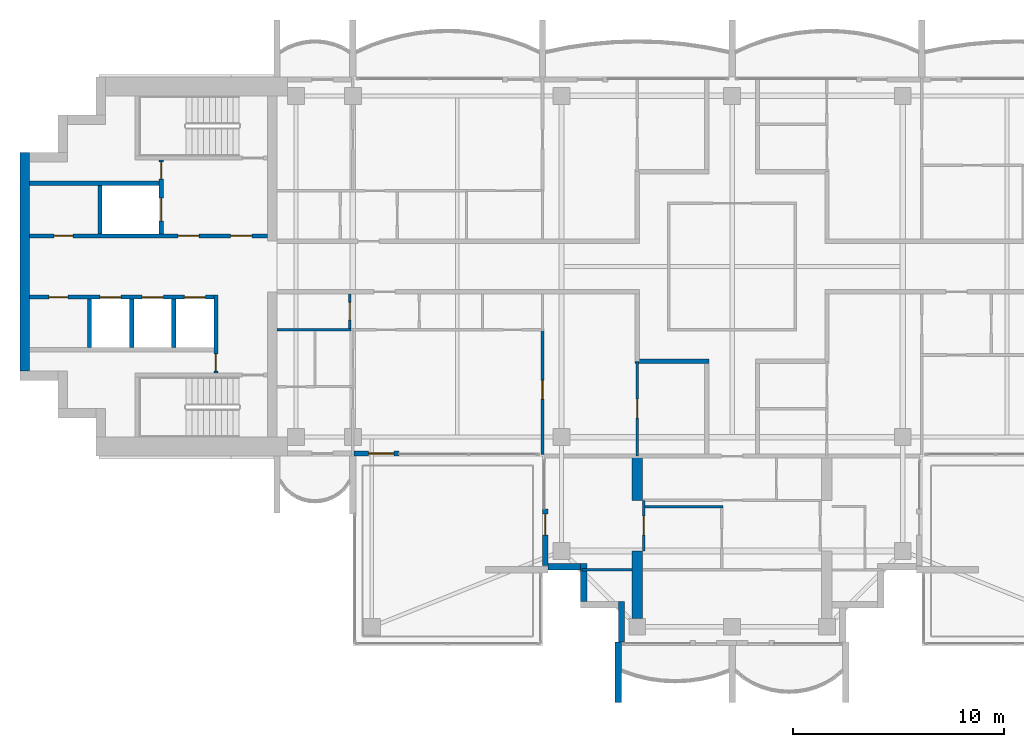
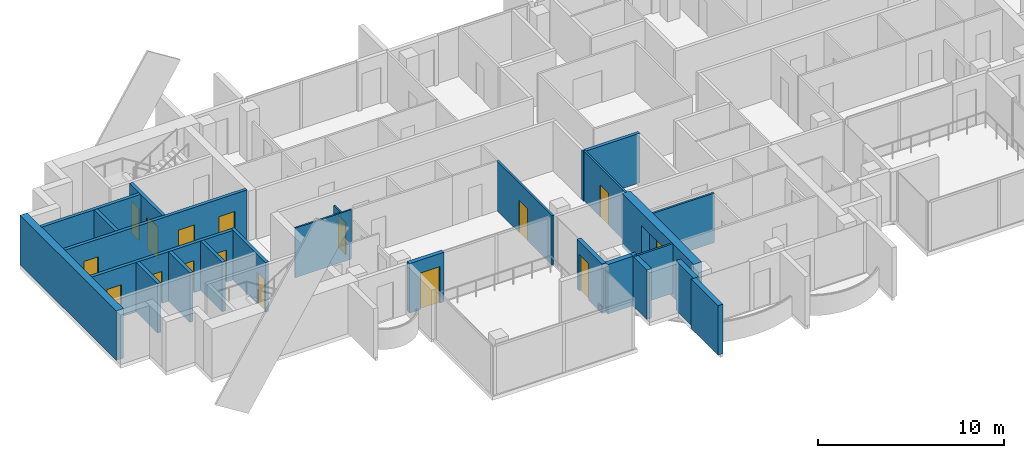
# One storey, part 7 of 16: 25 walls, 16 doors, 16 openings.
"""IFC4 building model written with IfcOpenShell, lengths in metres."""

from ifc_helpers import new_model, si_unit, direction, frame, frame_2d, origin, place, context, subcontext, project, spatial, polyline, rectangle, outline, extrude, material, layer, layer_set, material_profile, profile_set, type_object, element, fill, save


model = new_model("IFC4")

# Units and contexts
model_context = context("Model", 3, precision=1e-05, world=origin(), true_north=direction((0.0, 1.0)))
body_context = subcontext(model_context, "Body", "Model", "MODEL_VIEW")
ifc_project = project(units=[si_unit("LENGTHUNIT", "METRE"), si_unit("AREAUNIT", "SQUARE_METRE"), si_unit("VOLUMEUNIT", "CUBIC_METRE"), si_unit("PLANEANGLEUNIT", "RADIAN"), si_unit("MASSUNIT", "GRAM", prefix="KILO")], contexts=[model_context])

# Site, building, storey
site_placement = place(None, origin())
site = spatial("IfcSite", under=ifc_project, at=site_placement, CompositionType="ELEMENT")
building_placement = place(site_placement, origin())
building = spatial("IfcBuilding", under=site, at=building_placement, Name="Perihelion Cross Residences", CompositionType="ELEMENT")
storey_placement = place(building_placement, frame((0.0, 0.0, 271.0)))
storey = spatial("IfcBuildingStorey", under=building, at=storey_placement, Name="L69", CompositionType="ELEMENT", Elevation=271.0)

# Wall
ifc_material_1 = material(Name="Plasterboard partition")
ifc_layer_1 = layer(ifc_material_1, 0.199951171875)
ifc_layer_set_1 = layer_set([ifc_layer_1], Name="Apartment separation wall 200")
wall_type_1 = type_object("IfcWallType", Name="Apartment separation wall 200", PredefinedType="PARTITIONING", material=ifc_layer_set_1)
wall_1_placement = place(storey_placement, frame((-1.10009765625, -4.5, 0.0), z_axis=(0.0, 0.0, 1.0), x_axis=(-1.0, 0.0, 0.0)))
element("IfcWall", 1, at=wall_1_placement, inside=storey, type_object=wall_type_1, Name="Partition L69 W020", PredefinedType="PARTITIONING", context=body_context, shape_type="SweptSolid", body=[
    extrude(rectangle(XDim=3.5, YDim=0.199951171875, at=frame_2d((1.75, 0.0))), origin(), (0.0, 0.0, 1.0), 3.25),
])

# Wall, opening, door
ifc_material_2 = material(Name="Concrete C30/37, bronze-clad", Category="concrete")
ifc_layer_2 = layer(ifc_material_2, 0.25)
ifc_layer_set_2 = layer_set([ifc_layer_2], Name="Bronze-clad pier wall 250")
wall_type_2 = type_object("IfcWallType", Name="Bronze-clad pier wall 250", PredefinedType="SOLIDWALL", material=ifc_layer_set_2)
wall_2_placement = place(storey_placement, frame((-17.93994140625, -8.875, 0.0), z_axis=(0.0, 0.0, 1.0), x_axis=(1.0, 0.0, 0.0)))
wall_2 = element("IfcWall", 2, at=wall_2_placement, inside=storey, type_object=wall_type_2, Name="Wall FW1 L69 west side south bay 2 pier", PredefinedType="SOLIDWALL", context=body_context, shape_type="SweptSolid", body=[
    extrude(rectangle(XDim=2.139892578125, YDim=0.25, at=frame_2d((1.06982421875, 0.0))), origin(), (0.0, 0.0, 1.0), 3.25),
])
opening_1_placement = place(wall_2_placement, frame((0.68994140625, 0.0, 0.0)))
opening_1 = element("IfcOpeningElement", 3, at=opening_1_placement, cuts=wall_2, Name="Opening L69.E08", PredefinedType="OPENING", context=body_context, shape_type="SweptSolid", body=[
    extrude(rectangle(XDim=1.199951171875, YDim=2.39990234375, at=frame_2d((0.60009765625, 1.199951171875))), frame((0.0, 0.135009765625, 0.0), z_axis=(0.0, -1.0, 0.0), x_axis=(1.0, 0.0, 0.0)), (0.0, 0.0, 1.0), 0.27001953125),
])
ifc_material_3 = material(Name="Bronze anodised aluminium, glazed", Category="aluminium")
door_type_1 = type_object("IfcDoorType", Name="Balcony door 1200 x 2400", OperationType="NOTDEFINED", PredefinedType="DOOR", material=ifc_material_3)
door_1_placement = place(opening_1_placement, origin())
door_1 = element("IfcDoor", 4, at=door_1_placement, inside=storey, type_object=door_type_1, Name="Door L69.E08 west side south bay 2", OperationType="SINGLE_SWING_RIGHT", OverallHeight=2.39990234375, OverallWidth=1.199951171875, PredefinedType="DOOR", context=body_context, shape_type="SweptSolid", body=[
    extrude(rectangle(XDim=1.199951171875, YDim=2.39990234375, at=frame_2d((0.60009765625, 1.199951171875))), frame((0.0, 0.02490234375, 0.0), z_axis=(0.0, -1.0, 0.0), x_axis=(1.0, 0.0, 0.0)), (0.0, 0.0, 1.0), 0.050048828125),
])
fill(opening_1, door_1)

wall_3_placement = place(storey_placement, frame((-8.875, -11.5, 0.0), z_axis=(0.0, 0.0, 1.0), x_axis=(0.0, -1.0, 0.0)))
wall_3 = element("IfcWall", 5, at=wall_3_placement, inside=storey, type_object=wall_type_2, Name="Wall FW1 L69 south side west bay 1 pier", PredefinedType="SOLIDWALL", context=body_context, shape_type="SweptSolid", body=[
    extrude(rectangle(XDim=2.699951171875, YDim=0.25, at=frame_2d((1.35009765625, 0.0))), origin(), (0.0, 0.0, 1.0), 3.25),
])
opening_2_placement = place(wall_3_placement, frame((0.25, 0.0, 0.0)))
opening_2 = element("IfcOpeningElement", 6, at=opening_2_placement, cuts=wall_3, Name="Opening L69.E09", PredefinedType="OPENING", context=body_context, shape_type="SweptSolid", body=[
    extrude(rectangle(XDim=1.0, YDim=2.39990234375, at=frame_2d((0.5, 1.199951171875))), frame((0.0, 0.135009765625, 0.0), z_axis=(0.0, -1.0, 0.0), x_axis=(1.0, 0.0, 0.0)), (0.0, 0.0, 1.0), 0.27001953125),
])
ifc_material_4 = material(Name="Bronze anodised aluminium, glazed", Category="aluminium")
door_type_2 = type_object("IfcDoorType", Name="Balcony door 1000 x 2400", OperationType="NOTDEFINED", PredefinedType="DOOR", material=ifc_material_4)
door_2_placement = place(opening_2_placement, origin())
door_2 = element("IfcDoor", 7, at=door_2_placement, inside=storey, type_object=door_type_2, Name="Door L69.E09 south side west bay 1", OperationType="SINGLE_SWING_LEFT", OverallHeight=2.39990234375, OverallWidth=1.0, PredefinedType="DOOR", context=body_context, shape_type="SweptSolid", body=[
    extrude(rectangle(XDim=1.0, YDim=2.39990234375, at=frame_2d((0.5, 1.199951171875))), frame((0.0, 0.02490234375, 0.0), z_axis=(0.0, -1.0, 0.0), x_axis=(1.0, 0.0, 0.0)), (0.0, 0.0, 1.0), 0.050048828125),
])
fill(opening_2, door_2)

# Walls
ifc_material_5 = material(Name="Concrete C30/37, bronze-clad", Category="concrete")
ifc_layer_3 = layer(ifc_material_5, 0.300048828125)
ifc_layer_set_3 = layer_set([ifc_layer_3], Name="Bronze-clad serration wall 300")
wall_type_3 = type_object("IfcWallType", Name="Bronze-clad serration wall 300", PredefinedType="SOLIDWALL", material=ifc_layer_set_3)
wall_4_placement = place(storey_placement, frame((-8.75, -14.25, 0.0), z_axis=(0.0, 0.0, 1.0), x_axis=(1.0, 0.0, 0.0)))
element("IfcWall", 8, at=wall_4_placement, inside=storey, type_object=wall_type_3, Name="Wall SR1 L69 south corner south-west 1", PredefinedType="SOLIDWALL", context=body_context, shape_type="SweptSolid", body=[
    extrude(rectangle(XDim=1.550048828125, YDim=0.300048828125, at=frame_2d((0.77490234375, 0.0))), origin(), (0.0, 0.0, 1.0), 3.25),
])
wall_5_placement = place(storey_placement, frame((-7.050048828125, -14.10009765625, 0.0), z_axis=(0.0, 0.0, 1.0), x_axis=(0.0, -1.0, 0.0)))
element("IfcWall", 9, at=wall_5_placement, inside=storey, type_object=wall_type_3, Name="Wall SR1 L69 south corner south-west 2", PredefinedType="SOLIDWALL", context=body_context, shape_type="SweptSolid", body=[
    extrude(rectangle(XDim=1.7998046875, YDim=0.300048828125, at=frame_2d((0.89990234375, 0.0))), origin(), (0.0, 0.0, 1.0), 3.25),
])
wall_6_placement = place(storey_placement, frame((-5.25, -15.89990234375, 0.0), z_axis=(0.0, 0.0, 1.0), x_axis=(0.0, -1.0, 0.0)))
element("IfcWall", 10, at=wall_6_placement, inside=storey, type_object=wall_type_3, Name="Wall SR1 L69 south corner south-west 4", PredefinedType="SOLIDWALL", context=body_context, shape_type="SweptSolid", body=[
    extrude(rectangle(XDim=1.920166015625, YDim=0.300048828125, at=frame_2d((0.9599609375, 0.0))), origin(), (0.0, 0.0, 1.0), 3.25),
])
ifc_material_6 = material(Name="Concrete C60/75", Category="concrete")
ifc_layer_4 = layer(ifc_material_6, 0.449951171875)
ifc_layer_set_4 = layer_set([ifc_layer_4], Name="Core wall, outer 450")
wall_type_4 = type_object("IfcWallType", Name="Core wall, outer 450", PredefinedType="SHEAR", material=ifc_layer_set_4)
wall_7_placement = place(storey_placement, frame((-33.574951171875, -4.949951171875, 0.0), z_axis=(0.0, 0.0, 1.0), x_axis=(0.0, 1.0, 0.0)))
element("IfcWall", 11, at=wall_7_placement, inside=storey, type_object=wall_type_4, Name="West core core wall, outer", PredefinedType="SHEAR", context=body_context, shape_type="SweptSolid", body=[
    extrude(rectangle(XDim=10.349853515625, YDim=0.449951171875, at=frame_2d((5.1748046875, 0.0))), origin(), (0.0, 0.0, 1.0), 3.25),
])

# Wall, opening, door
ifc_material_7 = material(Name="Plasterboard partition")
ifc_layer_5 = layer(ifc_material_7, 0.1201171875)
ifc_layer_set_5 = layer_set([ifc_layer_5], Name="Infill panel 120")
wall_type_5 = type_object("IfcWallType", Name="Infill panel 120", PredefinedType="PARTITIONING", material=ifc_layer_set_5)
wall_8_placement = place(storey_placement, frame((-4.18994140625, -11.10009765625, 0.0), z_axis=(0.0, 0.0, 1.0), x_axis=(0.0, -1.0, 0.0)))
wall_8 = element("IfcWall", 12, at=wall_8_placement, inside=storey, type_object=wall_type_5, Name="Partition L69 WI02", PredefinedType="PARTITIONING", context=body_context, shape_type="SweptSolid", body=[
    extrude(rectangle(XDim=2.39990234375, YDim=0.1201171875, at=frame_2d((1.199951171875, 0.0))), origin(), (0.0, 0.0, 1.0), 2.39990234375),
])
opening_3_placement = place(wall_8_placement, frame((0.75, 0.0, 0.0)))
opening_3 = element("IfcOpeningElement", 13, at=opening_3_placement, cuts=wall_8, Name="Opening L69.A45", PredefinedType="OPENING", context=body_context, shape_type="SweptSolid", body=[
    extrude(rectangle(XDim=0.89990234375, YDim=2.10009765625, at=frame_2d((0.449951171875, 1.050048828125))), frame((0.0, 0.070068359375, 0.0), z_axis=(0.0, -1.0, 0.0), x_axis=(1.0, 0.0, 0.0)), (0.0, 0.0, 1.0), 0.14013671875),
])
ifc_material_8 = material(Name="Timber door leaf", Category="wood")
door_type_3 = type_object("IfcDoorType", Name="Interior room door 900 x 2100", OperationType="SINGLE_SWING_LEFT", PredefinedType="DOOR", material=ifc_material_8)
door_3_placement = place(opening_3_placement, origin())
door_3 = element("IfcDoor", 14, at=door_3_placement, inside=storey, type_object=door_type_3, Name="Door L69.A45", OperationType="SINGLE_SWING_LEFT", OverallHeight=2.10009765625, OverallWidth=0.89990234375, PredefinedType="DOOR", context=body_context, shape_type="SweptSolid", body=[
    extrude(rectangle(XDim=0.89990234375, YDim=2.10009765625, at=frame_2d((0.449951171875, 1.050048828125))), frame((0.0, 0.02490234375, 0.0), z_axis=(0.0, -1.0, 0.0), x_axis=(1.0, 0.0, 0.0)), (0.0, 0.0, 1.0), 0.050048828125),
])
fill(opening_3, door_3)

ifc_material_9 = material(Name="Concrete C50/60", Category="concrete")
ifc_layer_6 = layer(ifc_material_9, 0.199951171875)
ifc_layer_set_6 = layer_set([ifc_layer_6], Name="Lobby wall 200")
wall_type_6 = type_object("IfcWallType", Name="Lobby wall 200", PredefinedType="SOLIDWALL", material=ifc_layer_set_6)
wall_9_placement = place(storey_placement, frame((-24.5, -5.050048828125, 0.0), z_axis=(0.0, 0.0, 1.0), x_axis=(0.0, 1.0, 0.0)))
wall_9 = element("IfcWall", 15, at=wall_9_placement, inside=storey, type_object=wall_type_6, Name="West core lobby wall", PredefinedType="SOLIDWALL", context=body_context, shape_type="SweptSolid", body=[
    extrude(rectangle(XDim=3.699951171875, YDim=0.199951171875, at=frame_2d((1.85009765625, 0.0))), origin(), (0.0, 0.0, 1.0), 3.25),
])
opening_4_placement = place(wall_9_placement, frame((0.10009765625, 0.0, 0.0)))
opening_4 = element("IfcOpeningElement", 16, at=opening_4_placement, cuts=wall_9, Name="Opening L69.C20", PredefinedType="OPENING", context=body_context, shape_type="SweptSolid", body=[
    extrude(rectangle(XDim=0.800048828125, YDim=2.10009765625, at=frame_2d((0.39990234375, 1.050048828125))), frame((0.0, 0.10986328125, 0.0), z_axis=(0.0, -1.0, 0.0), x_axis=(1.0, 0.0, 0.0)), (0.0, 0.0, 1.0), 0.219970703125),
])
ifc_material_10 = material(Name="Steel, powder coated", Category="steel")
door_type_4 = type_object("IfcDoorType", Name="Riser door 800", OperationType="SINGLE_SWING_LEFT", PredefinedType="DOOR", material=ifc_material_10)
door_4_placement = place(opening_4_placement, origin())
door_4 = element("IfcDoor", 17, at=door_4_placement, inside=storey, type_object=door_type_4, Name="West core riser door", OperationType="SINGLE_SWING_LEFT", OverallHeight=2.10009765625, OverallWidth=0.800048828125, PredefinedType="DOOR", context=body_context, shape_type="SweptSolid", body=[
    extrude(rectangle(XDim=0.800048828125, YDim=2.10009765625, at=frame_2d((0.39990234375, 1.050048828125))), frame((0.0, 0.02490234375, 0.0), z_axis=(0.0, -1.0, 0.0), x_axis=(1.0, 0.0, 0.0)), (0.0, 0.0, 1.0), 0.050048828125),
])
fill(opening_4, door_4)

ifc_material_11 = material(Name="Plasterboard partition")
ifc_layer_7 = layer(ifc_material_11, 0.1201171875)
ifc_layer_set_7 = layer_set([ifc_layer_7], Name="Partition wall 120")
wall_type_7 = type_object("IfcWallType", Name="Partition wall 120", PredefinedType="PARTITIONING", material=ifc_layer_set_7)
wall_10_placement = place(storey_placement, frame((-9.0, -3.0, 0.0), z_axis=(0.0, 0.0, 1.0), x_axis=(0.0, -1.0, 0.0)))
wall_10 = element("IfcWall", 18, at=wall_10_placement, inside=storey, type_object=wall_type_7, Name="Partition L69 W062", PredefinedType="PARTITIONING", context=body_context, shape_type="SweptSolid", body=[
    extrude(rectangle(XDim=5.919921875, YDim=0.1201171875, at=frame_2d((2.9599609375, 0.0))), origin(), (0.0, 0.0, 1.0), 3.25),
])
opening_5_placement = place(wall_10_placement, frame((2.39990234375, 0.0, 0.0)))
opening_5 = element("IfcOpeningElement", 19, at=opening_5_placement, cuts=wall_10, Name="Opening L69.A32", PredefinedType="OPENING", context=body_context, shape_type="SweptSolid", body=[
    extrude(rectangle(XDim=0.89990234375, YDim=2.10009765625, at=frame_2d((0.449951171875, 1.050048828125))), frame((0.0, 0.070068359375, 0.0), z_axis=(0.0, -1.0, 0.0), x_axis=(1.0, 0.0, 0.0)), (0.0, 0.0, 1.0), 0.14013671875),
])
door_5_placement = place(opening_5_placement, origin())
door_5 = element("IfcDoor", 20, at=door_5_placement, inside=storey, type_object=door_type_3, Name="Door L69.A32", OperationType="SINGLE_SWING_RIGHT", OverallHeight=2.10009765625, OverallWidth=0.89990234375, PredefinedType="DOOR", context=body_context, shape_type="SweptSolid", body=[
    extrude(rectangle(XDim=0.89990234375, YDim=2.10009765625, at=frame_2d((0.449951171875, 1.050048828125))), frame((0.0, 0.02490234375, 0.0), z_axis=(0.0, -1.0, 0.0), x_axis=(1.0, 0.0, 0.0)), (0.0, 0.0, 1.0), 0.050048828125),
])
fill(opening_5, door_5)

wall_11_placement = place(storey_placement, frame((-4.5, -4.5, 0.0), z_axis=(0.0, 0.0, 1.0), x_axis=(0.0, -1.0, 0.0)))
wall_11 = element("IfcWall", 21, at=wall_11_placement, inside=storey, type_object=wall_type_7, Name="Partition L69 W066", PredefinedType="PARTITIONING", context=body_context, shape_type="SweptSolid", body=[
    extrude(rectangle(XDim=4.5, YDim=0.1201171875, at=frame_2d((2.25, 0.0))), origin(), (0.0, 0.0, 1.0), 3.25),
])
opening_6_placement = place(wall_11_placement, frame((1.800048828125, 0.0, 0.0)))
opening_6 = element("IfcOpeningElement", 22, at=opening_6_placement, cuts=wall_11, Name="Opening L69.A28", PredefinedType="OPENING", context=body_context, shape_type="SweptSolid", body=[
    extrude(rectangle(XDim=0.89990234375, YDim=2.10009765625, at=frame_2d((0.449951171875, 1.050048828125))), frame((0.0, 0.070068359375, 0.0), z_axis=(0.0, -1.0, 0.0), x_axis=(1.0, 0.0, 0.0)), (0.0, 0.0, 1.0), 0.14013671875),
])
door_6_placement = place(opening_6_placement, origin())
door_6 = element("IfcDoor", 23, at=door_6_placement, inside=storey, type_object=door_type_3, Name="Door L69.A28", OperationType="SINGLE_SWING_RIGHT", OverallHeight=2.10009765625, OverallWidth=0.89990234375, PredefinedType="DOOR", context=body_context, shape_type="SweptSolid", body=[
    extrude(rectangle(XDim=0.89990234375, YDim=2.10009765625, at=frame_2d((0.449951171875, 1.050048828125))), frame((0.0, 0.02490234375, 0.0), z_axis=(0.0, -1.0, 0.0), x_axis=(1.0, 0.0, 0.0)), (0.0, 0.0, 1.0), 0.050048828125),
])
fill(opening_6, door_6)

# Walls
wall_12_placement = place(storey_placement, frame((-0.43994140625, -11.39990234375, 0.0), z_axis=(0.0, 0.0, 1.0), x_axis=(-1.0, 0.0, 0.0)))
element("IfcWall", 24, at=wall_12_placement, inside=storey, type_object=wall_type_7, Name="Partition L69 W071", PredefinedType="PARTITIONING", context=body_context, shape_type="SweptSolid", body=[
    extrude(rectangle(XDim=3.81005859375, YDim=0.1201171875, at=frame_2d((1.905029296875, 0.0))), origin(), (0.0, 0.0, 1.0), 3.25),
])
wall_13_placement = place(storey_placement, frame((-4.75, -14.39990234375, 0.0), z_axis=(0.0, 0.0, 1.0), x_axis=(-1.0, 0.0, 0.0)))
element("IfcWall", 25, at=wall_13_placement, inside=storey, type_object=wall_type_7, Name="Partition L69 W077", PredefinedType="PARTITIONING", context=body_context, shape_type="SweptSolid", body=[
    extrude(rectangle(XDim=2.3701171875, YDim=0.1201171875, at=frame_2d((1.18505859375, 0.0))), origin(), (0.0, 0.0, 1.0), 3.25),
])
ifc_material_12 = material(Name="Precast concrete C50/60", Category="concrete")
ifc_layer_8 = layer(ifc_material_12, 0.300048828125)
ifc_layer_set_8 = layer_set([ifc_layer_8], Name="Precast concrete C50/60 blade wall 300")
wall_type_8 = type_object("IfcWallType", Name="Precast concrete C50/60 blade wall 300", PredefinedType="SOLIDWALL", material=ifc_layer_set_8)
wall_14_placement = place(storey_placement, frame((-5.39990234375, -17.820068359375, 0.0), z_axis=(0.0, 0.0, 1.0), x_axis=(0.0, -1.0, 0.0)))
element("IfcWall", 26, at=wall_14_placement, inside=storey, type_object=wall_type_8, Name="Wall BL1 L69 no. 5", PredefinedType="SOLIDWALL", context=body_context, shape_type="SweptSolid", body=[
    extrude(rectangle(XDim=2.8798828125, YDim=0.300048828125, at=frame_2d((1.43994140625, 0.0))), origin(), (0.0, 0.0, 1.0), 3.25),
])

# Wall, openings, doors
ifc_material_13 = material(Name="Concrete C50/60", Category="concrete")
ifc_layer_9 = layer(ifc_material_13, 0.199951171875)
ifc_layer_set_9 = layer_set([ifc_layer_9], Name="Shaft wall 200")
wall_type_9 = type_object("IfcWallType", Name="Shaft wall 200", PredefinedType="SOLIDWALL", material=ifc_layer_set_9)
wall_15_placement = place(storey_placement, frame((-33.35009765625, 1.449951171875, 0.0), z_axis=(0.0, 0.0, 1.0), x_axis=(1.0, 0.0, 0.0)))
wall_15 = element("IfcWall", 27, at=wall_15_placement, inside=storey, type_object=wall_type_9, Name="West core shaft wall", PredefinedType="SOLIDWALL", context=body_context, shape_type="SweptSolid", body=[
    extrude(rectangle(XDim=11.300048828125, YDim=0.199951171875, at=frame_2d((5.64990234375, 0.0))), origin(), (0.0, 0.0, 1.0), 3.25),
])
opening_7_placement = place(wall_15_placement, frame((9.550048828125, 0.0, 0.0)))
opening_7 = element("IfcOpeningElement", 28, at=opening_7_placement, cuts=wall_15, Name="Opening L69.C19", PredefinedType="OPENING", context=body_context, shape_type="SweptSolid", body=[
    extrude(rectangle(XDim=1.0, YDim=2.10009765625, at=frame_2d((0.5, 1.050048828125))), frame((0.0, 0.10986328125, 0.0), z_axis=(0.0, -1.0, 0.0), x_axis=(1.0, 0.0, 0.0)), (0.0, 0.0, 1.0), 0.219970703125),
])
opening_8_placement = place(wall_15_placement, frame((7.050048828125, 0.0, 0.0)))
opening_8 = element("IfcOpeningElement", 29, at=opening_8_placement, cuts=wall_15, Name="Opening L69.C21", PredefinedType="OPENING", context=body_context, shape_type="SweptSolid", body=[
    extrude(rectangle(XDim=1.0, YDim=2.10009765625, at=frame_2d((0.5, 1.050048828125))), frame((0.0, 0.10986328125, 0.0), z_axis=(0.0, -1.0, 0.0), x_axis=(1.0, 0.0, 0.0)), (0.0, 0.0, 1.0), 0.219970703125),
])
opening_9_placement = place(wall_15_placement, frame((1.175048828125, 0.0, 0.0)))
opening_9 = element("IfcOpeningElement", 30, at=opening_9_placement, cuts=wall_15, Name="Opening L69.C23", PredefinedType="OPENING", context=body_context, shape_type="SweptSolid", body=[
    extrude(rectangle(XDim=0.89990234375, YDim=2.10009765625, at=frame_2d((0.449951171875, 1.050048828125))), frame((0.0, 0.10986328125, 0.0), z_axis=(0.0, -1.0, 0.0), x_axis=(1.0, 0.0, 0.0)), (0.0, 0.0, 1.0), 0.219970703125),
])
ifc_material_14 = material(Name="Steel, powder coated", Category="steel")
door_type_5 = type_object("IfcDoorType", Name="Lobby door 1000", OperationType="SINGLE_SWING_LEFT", PredefinedType="DOOR", material=ifc_material_14)
door_7_placement = place(opening_7_placement, origin())
door_7 = element("IfcDoor", 31, at=door_7_placement, inside=storey, type_object=door_type_5, Name="West core firefighting lobby door", OperationType="SINGLE_SWING_LEFT", OverallHeight=2.10009765625, OverallWidth=1.0, PredefinedType="DOOR", context=body_context, shape_type="SweptSolid", body=[
    extrude(rectangle(XDim=1.0, YDim=2.10009765625, at=frame_2d((0.5, 1.050048828125))), frame((0.0, 0.02490234375, 0.0), z_axis=(0.0, -1.0, 0.0), x_axis=(1.0, 0.0, 0.0)), (0.0, 0.0, 1.0), 0.050048828125),
])
fill(opening_7, door_7)
door_8_placement = place(opening_8_placement, origin())
door_8 = element("IfcDoor", 32, at=door_8_placement, inside=storey, type_object=door_type_5, Name="West core firefighting lobby door", OperationType="SINGLE_SWING_LEFT", OverallHeight=2.10009765625, OverallWidth=1.0, PredefinedType="DOOR", context=body_context, shape_type="SweptSolid", body=[
    extrude(rectangle(XDim=1.0, YDim=2.10009765625, at=frame_2d((0.5, 1.050048828125))), frame((0.0, 0.02490234375, 0.0), z_axis=(0.0, -1.0, 0.0), x_axis=(1.0, 0.0, 0.0)), (0.0, 0.0, 1.0), 0.050048828125),
])
fill(opening_8, door_8)
ifc_material_15 = material(Name="Steel, powder coated", Category="steel")
door_type_6 = type_object("IfcDoorType", Name="Service room door 900", OperationType="SINGLE_SWING_LEFT", PredefinedType="DOOR", material=ifc_material_15)
door_9_placement = place(opening_9_placement, origin())
door_9 = element("IfcDoor", 33, at=door_9_placement, inside=storey, type_object=door_type_6, Name="West core service room door", OperationType="SINGLE_SWING_LEFT", OverallHeight=2.10009765625, OverallWidth=0.89990234375, PredefinedType="DOOR", context=body_context, shape_type="SweptSolid", body=[
    extrude(rectangle(XDim=0.89990234375, YDim=2.10009765625, at=frame_2d((0.449951171875, 1.050048828125))), frame((0.0, 0.02490234375, 0.0), z_axis=(0.0, -1.0, 0.0), x_axis=(1.0, 0.0, 0.0)), (0.0, 0.0, 1.0), 0.050048828125),
])
fill(opening_9, door_9)

wall_16_placement = place(storey_placement, frame((-33.35009765625, -1.449951171875, 0.0), z_axis=(0.0, 0.0, 1.0), x_axis=(1.0, 0.0, 0.0)))
wall_16 = element("IfcWall", 34, at=wall_16_placement, inside=storey, type_object=wall_type_9, Name="West core shaft wall", PredefinedType="SOLIDWALL", context=body_context, shape_type="SweptSolid", body=[
    extrude(rectangle(XDim=8.75, YDim=0.199951171875, at=frame_2d((4.375, 0.0))), origin(), (0.0, 0.0, 1.0), 3.25),
])
opening_10_placement = place(wall_16_placement, frame((7.35009765625, 0.0, 0.0)))
opening_10 = element("IfcOpeningElement", 35, at=opening_10_placement, cuts=wall_16, Name="Opening L69.C13", PredefinedType="OPENING", context=body_context, shape_type="SweptSolid", body=[
    extrude(rectangle(XDim=1.0, YDim=2.10009765625, at=frame_2d((0.5, 1.050048828125))), frame((0.0, 0.10986328125, 0.0), z_axis=(0.0, -1.0, 0.0), x_axis=(1.0, 0.0, 0.0)), (0.0, 0.0, 1.0), 0.219970703125),
])
opening_11_placement = place(wall_16_placement, frame((5.35009765625, 0.0, 0.0)))
opening_11 = element("IfcOpeningElement", 36, at=opening_11_placement, cuts=wall_16, Name="Opening L69.C15", PredefinedType="OPENING", context=body_context, shape_type="SweptSolid", body=[
    extrude(rectangle(XDim=1.0, YDim=2.10009765625, at=frame_2d((0.5, 1.050048828125))), frame((0.0, 0.10986328125, 0.0), z_axis=(0.0, -1.0, 0.0), x_axis=(1.0, 0.0, 0.0)), (0.0, 0.0, 1.0), 0.219970703125),
])
opening_12_placement = place(wall_16_placement, frame((3.35009765625, 0.0, 0.0)))
opening_12 = element("IfcOpeningElement", 37, at=opening_12_placement, cuts=wall_16, Name="Opening L69.C16", PredefinedType="OPENING", context=body_context, shape_type="SweptSolid", body=[
    extrude(rectangle(XDim=1.0, YDim=2.10009765625, at=frame_2d((0.5, 1.050048828125))), frame((0.0, 0.10986328125, 0.0), z_axis=(0.0, -1.0, 0.0), x_axis=(1.0, 0.0, 0.0)), (0.0, 0.0, 1.0), 0.219970703125),
])
opening_13_placement = place(wall_16_placement, frame((0.925048828125, 0.0, 0.0)))
opening_13 = element("IfcOpeningElement", 38, at=opening_13_placement, cuts=wall_16, Name="Opening L69.C24", PredefinedType="OPENING", context=body_context, shape_type="SweptSolid", body=[
    extrude(rectangle(XDim=0.89990234375, YDim=2.10009765625, at=frame_2d((0.449951171875, 1.050048828125))), frame((0.0, 0.10986328125, 0.0), z_axis=(0.0, -1.0, 0.0), x_axis=(1.0, 0.0, 0.0)), (0.0, 0.0, 1.0), 0.219970703125),
])
ifc_material_16 = material(Name="Stainless steel", Category="steel")
door_type_7 = type_object("IfcDoorType", Name="Landing door 1000", OperationType="DOUBLE_DOOR_SLIDING", PredefinedType="DOOR", material=ifc_material_16)
door_10_placement = place(opening_10_placement, origin())
door_10 = element("IfcDoor", 39, at=door_10_placement, inside=storey, type_object=door_type_7, Name="Landing door, West core high-rise lift 1", OperationType="DOUBLE_DOOR_SLIDING", OverallHeight=2.10009765625, OverallWidth=1.0, PredefinedType="DOOR", context=body_context, shape_type="SweptSolid", body=[
    extrude(rectangle(XDim=1.0, YDim=2.10009765625, at=frame_2d((0.5, 1.050048828125))), frame((0.0, 0.02490234375, 0.0), z_axis=(0.0, -1.0, 0.0), x_axis=(1.0, 0.0, 0.0)), (0.0, 0.0, 1.0), 0.050048828125),
])
fill(opening_10, door_10)
door_11_placement = place(opening_11_placement, origin())
door_11 = element("IfcDoor", 40, at=door_11_placement, inside=storey, type_object=door_type_7, Name="Landing door, West core high-rise lift 2", OperationType="DOUBLE_DOOR_SLIDING", OverallHeight=2.10009765625, OverallWidth=1.0, PredefinedType="DOOR", context=body_context, shape_type="SweptSolid", body=[
    extrude(rectangle(XDim=1.0, YDim=2.10009765625, at=frame_2d((0.5, 1.050048828125))), frame((0.0, 0.02490234375, 0.0), z_axis=(0.0, -1.0, 0.0), x_axis=(1.0, 0.0, 0.0)), (0.0, 0.0, 1.0), 0.050048828125),
])
fill(opening_11, door_11)
door_12_placement = place(opening_12_placement, origin())
door_12 = element("IfcDoor", 41, at=door_12_placement, inside=storey, type_object=door_type_7, Name="Landing door, West core high-rise lift 3", OperationType="DOUBLE_DOOR_SLIDING", OverallHeight=2.10009765625, OverallWidth=1.0, PredefinedType="DOOR", context=body_context, shape_type="SweptSolid", body=[
    extrude(rectangle(XDim=1.0, YDim=2.10009765625, at=frame_2d((0.5, 1.050048828125))), frame((0.0, 0.02490234375, 0.0), z_axis=(0.0, -1.0, 0.0), x_axis=(1.0, 0.0, 0.0)), (0.0, 0.0, 1.0), 0.050048828125),
])
fill(opening_12, door_12)
door_13_placement = place(opening_13_placement, origin())
door_13 = element("IfcDoor", 42, at=door_13_placement, inside=storey, type_object=door_type_6, Name="West core service room door", OperationType="SINGLE_SWING_LEFT", OverallHeight=2.10009765625, OverallWidth=0.89990234375, PredefinedType="DOOR", context=body_context, shape_type="SweptSolid", body=[
    extrude(rectangle(XDim=0.89990234375, YDim=2.10009765625, at=frame_2d((0.449951171875, 1.050048828125))), frame((0.0, 0.02490234375, 0.0), z_axis=(0.0, -1.0, 0.0), x_axis=(1.0, 0.0, 0.0)), (0.0, 0.0, 1.0), 0.050048828125),
])
fill(opening_13, door_13)

# Wall
wall_17_placement = place(storey_placement, frame((-33.35009765625, 3.949951171875, 0.0), z_axis=(0.0, 0.0, 1.0), x_axis=(1.0, 0.0, 0.0)))
element("IfcWall", 43, at=wall_17_placement, inside=storey, type_object=wall_type_9, Name="West core shaft wall", PredefinedType="SOLIDWALL", context=body_context, shape_type="SweptSolid", body=[
    extrude(rectangle(XDim=6.150146484375, YDim=0.199951171875, at=frame_2d((3.0751953125, 0.0))), origin(), (0.0, 0.0, 1.0), 3.25),
])

# Wall, openings, doors
wall_18_placement = place(storey_placement, frame((-27.10009765625, 1.550048828125, 0.0), z_axis=(0.0, 0.0, 1.0), x_axis=(0.0, 1.0, 0.0)))
wall_18 = element("IfcWall", 44, at=wall_18_placement, inside=storey, type_object=wall_type_9, Name="West core shaft wall", PredefinedType="SOLIDWALL", context=body_context, shape_type="SweptSolid", body=[
    extrude(rectangle(XDim=3.5, YDim=0.199951171875, at=frame_2d((1.75, 0.0))), origin(), (0.0, 0.0, 1.0), 3.25),
])
opening_14_placement = place(wall_18_placement, frame((0.60009765625, 0.0, 0.0)))
opening_14 = element("IfcOpeningElement", 45, at=opening_14_placement, cuts=wall_18, Name="Opening L69.C14", PredefinedType="OPENING", context=body_context, shape_type="SweptSolid", body=[
    extrude(rectangle(XDim=1.10009765625, YDim=2.10009765625, at=frame_2d((0.550048828125, 1.050048828125))), frame((0.0, 0.10986328125, 0.0), z_axis=(0.0, -1.0, 0.0), x_axis=(1.0, 0.0, 0.0)), (0.0, 0.0, 1.0), 0.219970703125),
])
opening_15_placement = place(wall_18_placement, frame((2.60009765625, 0.0, 0.0)))
opening_15 = element("IfcOpeningElement", 46, at=opening_15_placement, cuts=wall_18, Name="Opening L69.C22", PredefinedType="OPENING", context=body_context, shape_type="SweptSolid", body=[
    extrude(rectangle(XDim=0.800048828125, YDim=2.10009765625, at=frame_2d((0.39990234375, 1.050048828125))), frame((0.0, 0.10986328125, 0.0), z_axis=(0.0, -1.0, 0.0), x_axis=(1.0, 0.0, 0.0)), (0.0, 0.0, 1.0), 0.219970703125),
])
ifc_material_17 = material(Name="Stainless steel", Category="steel")
door_type_8 = type_object("IfcDoorType", Name="Landing door, firefighting lift 1100", OperationType="DOUBLE_DOOR_SLIDING", PredefinedType="DOOR", material=ifc_material_17)
door_14_placement = place(opening_14_placement, origin())
door_14 = element("IfcDoor", 47, at=door_14_placement, inside=storey, type_object=door_type_8, Name="Landing door, West core firefighting and service lift", OperationType="DOUBLE_DOOR_SLIDING", OverallHeight=2.10009765625, OverallWidth=1.10009765625, PredefinedType="DOOR", context=body_context, shape_type="SweptSolid", body=[
    extrude(rectangle(XDim=1.10009765625, YDim=2.10009765625, at=frame_2d((0.550048828125, 1.050048828125))), frame((0.0, 0.02490234375, 0.0), z_axis=(0.0, -1.0, 0.0), x_axis=(1.0, 0.0, 0.0)), (0.0, 0.0, 1.0), 0.050048828125),
])
fill(opening_14, door_14)
door_15_placement = place(opening_15_placement, origin())
door_15 = element("IfcDoor", 48, at=door_15_placement, inside=storey, type_object=door_type_4, Name="West core riser door", OperationType="SINGLE_SWING_LEFT", OverallHeight=2.10009765625, OverallWidth=0.800048828125, PredefinedType="DOOR", context=body_context, shape_type="SweptSolid", body=[
    extrude(rectangle(XDim=0.800048828125, YDim=2.10009765625, at=frame_2d((0.39990234375, 1.050048828125))), frame((0.0, 0.02490234375, 0.0), z_axis=(0.0, -1.0, 0.0), x_axis=(1.0, 0.0, 0.0)), (0.0, 0.0, 1.0), 0.050048828125),
])
fill(opening_15, door_15)

# Walls
for number, where, z_axis, x_axis, name in (
    (49, (-30.0, 1.550048828125, 0.0), (0.0, 0.0, 1.0), (0.0, 1.0, 0.0), "West core shaft wall"),
    (50, (-26.5, -3.85009765625, 0.0), (0.0, 0.0, 1.0), (0.0, 1.0, 0.0), "West core shaft wall"),
    (51, (-28.5, -3.85009765625, 0.0), (0.0, 0.0, 1.0), (0.0, 1.0, 0.0), "West core shaft wall"),
    (52, (-30.5, -3.85009765625, 0.0), (0.0, 0.0, 1.0), (0.0, 1.0, 0.0), "West core shaft wall"),
):
    element("IfcWall", number, at=place(storey_placement, frame(where, z_axis=z_axis, x_axis=x_axis)), inside=storey, type_object=wall_type_9, Name=name, PredefinedType="SOLIDWALL", context=body_context, shape_type="SweptSolid", body=[
        extrude(rectangle(XDim=2.300048828125, YDim=0.199951171875, at=frame_2d((1.14990234375, 0.0))), origin(), (0.0, 0.0, 1.0), 3.25),
    ])
ifc_material_18 = material(Name="Concrete C50/60", Category="concrete")
ifc_material_profile = material_profile(ifc_material_18, outline(polyline([(0.0, 0.0), (3.199951171875, 0.0), (3.199951171875, 2.64990234375), (5.60009765625, 2.64990234375), (5.60009765625, 0.0), (7.699951171875, 0.0), (7.699951171875, 3.5), (0.0, 3.5), (0.0, 0.0)])), Name="Tip spine wall")
ifc_profile_set = profile_set([ifc_material_profile], Name="Concrete C50/60")
wall_type_10 = type_object("IfcWallType", Name="Tip spine wall 500 with 1 door openings 7700 long 3500 high concrete C50/60", PredefinedType="SHEAR", material=ifc_profile_set)
wall_19_placement = place(storey_placement, frame((-4.75, -16.699951171875, -0.25), z_axis=(1.0, 0.0, 0.0), x_axis=(0.0, 1.0, 0.0)))
element("IfcWall", 53, at=wall_19_placement, inside=storey, type_object=wall_type_10, Name="Shear wall SW45 L69 south west", PredefinedType="SHEAR", context=body_context, shape_type="SweptSolid", body=[
    extrude(outline(polyline([(0.0, 0.0), (3.199951171875, 0.0), (3.199951171875, 2.64990234375), (5.60009765625, 2.64990234375), (5.60009765625, 0.0), (7.699951171875, 0.0), (7.699951171875, 3.5), (0.0, 3.5), (0.0, 0.0)])), origin(), (0.0, 0.0, 1.0), 0.5),
])

# Wall, opening, door
ifc_material_19 = material(Name="Plasterboard partition")
ifc_layer_10 = layer(ifc_material_19, 0.10009765625)
ifc_layer_set_10 = layer_set([ifc_layer_10], Name="Wet room wall 100")
wall_type_11 = type_object("IfcWallType", Name="Wet room wall 100", PredefinedType="PARTITIONING", material=ifc_layer_set_10)
wall_20_placement = place(storey_placement, frame((-18.14990234375, -2.949951171875, 0.0), z_axis=(0.0, 0.0, 1.0), x_axis=(0.0, 1.0, 0.0)))
wall_20 = element("IfcWall", 54, at=wall_20_placement, inside=storey, type_object=wall_type_11, Name="Partition L69 W058", PredefinedType="PARTITIONING", context=body_context, shape_type="SweptSolid", body=[
    extrude(rectangle(XDim=1.64990234375, YDim=0.10009765625, at=frame_2d((0.824951171875, 0.0))), origin(), (0.0, 0.0, 1.0), 2.49609375),
])
opening_16_placement = place(wall_20_placement, frame((0.39990234375, 0.0, 0.0)))
opening_16 = element("IfcOpeningElement", 55, at=opening_16_placement, cuts=wall_20, Name="Opening L69.A29", PredefinedType="OPENING", context=body_context, shape_type="SweptSolid", body=[
    extrude(rectangle(XDim=0.85009765625, YDim=2.10009765625, at=frame_2d((0.425048828125, 1.050048828125))), frame((0.0, 0.06005859375, 0.0), z_axis=(0.0, -1.0, 0.0), x_axis=(1.0, 0.0, 0.0)), (0.0, 0.0, 1.0), 0.1201171875),
])
ifc_material_20 = material(Name="Timber door leaf", Category="wood")
door_type_9 = type_object("IfcDoorType", Name="Interior bathroom door 850 x 2100", OperationType="SINGLE_SWING_LEFT", PredefinedType="DOOR", material=ifc_material_20)
door_16_placement = place(opening_16_placement, origin())
door_16 = element("IfcDoor", 56, at=door_16_placement, inside=storey, type_object=door_type_9, Name="Door L69.A29", OperationType="SINGLE_SWING_LEFT", OverallHeight=2.10009765625, OverallWidth=0.85009765625, PredefinedType="DOOR", context=body_context, shape_type="SweptSolid", body=[
    extrude(rectangle(XDim=0.85009765625, YDim=2.10009765625, at=frame_2d((0.425048828125, 1.050048828125))), frame((0.0, 0.02490234375, 0.0), z_axis=(0.0, -1.0, 0.0), x_axis=(1.0, 0.0, 0.0)), (0.0, 0.0, 1.0), 0.050048828125),
])
fill(opening_16, door_16)

# Wall
wall_21_placement = place(storey_placement, frame((-18.10009765625, -3.0, 0.0), z_axis=(0.0, 0.0, 1.0), x_axis=(-1.0, 0.0, 0.0)))
element("IfcWall", 57, at=wall_21_placement, inside=storey, type_object=wall_type_11, Name="Partition L69 W059", PredefinedType="PARTITIONING", context=body_context, shape_type="SweptSolid", body=[
    extrude(rectangle(XDim=3.5, YDim=0.10009765625, at=frame_2d((1.75, 0.0))), origin(), (0.0, 0.0, 1.0), 3.25),
])

save(model, "model.ifc")
